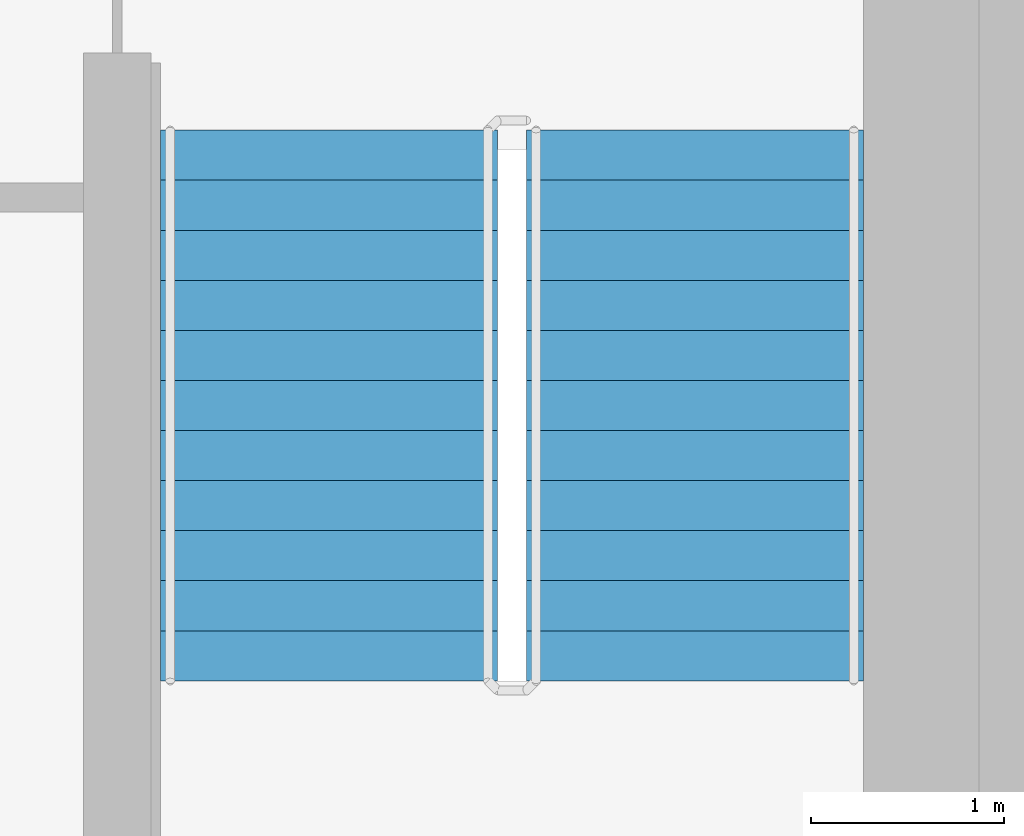
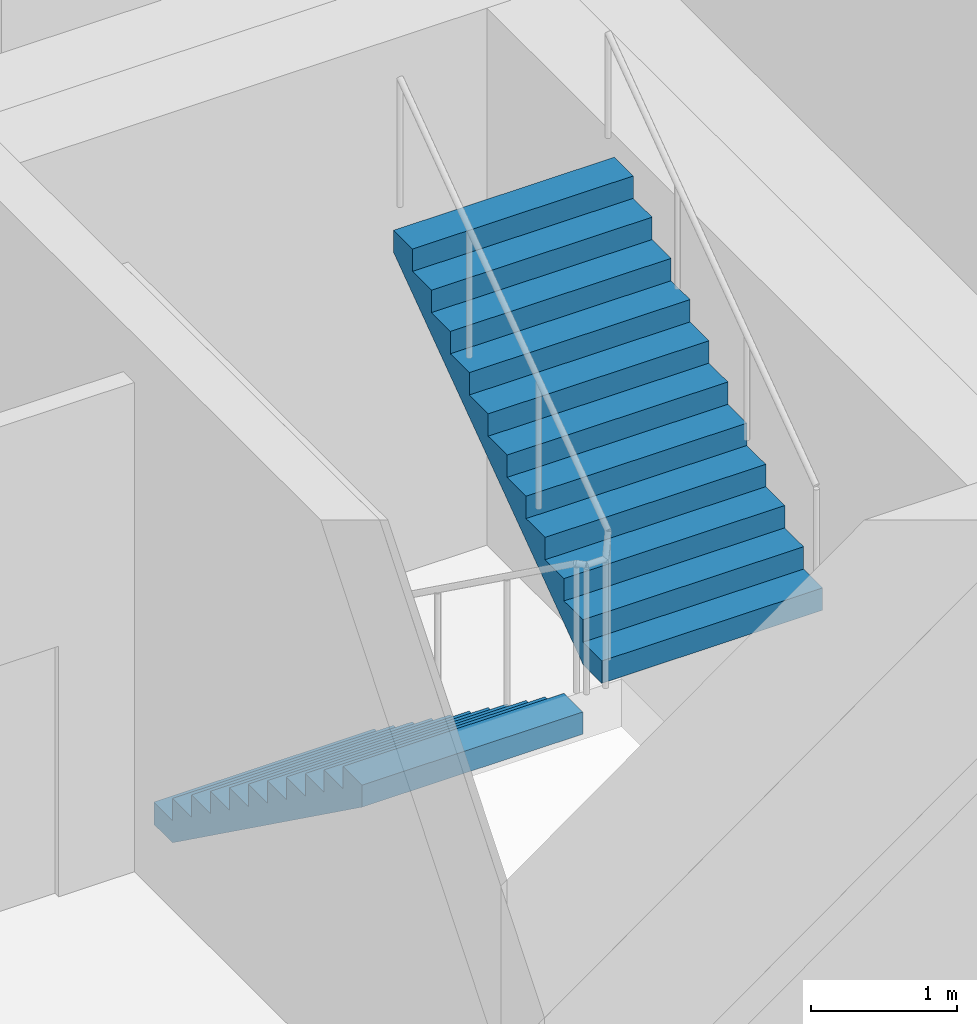
# One storey, part 13 of 17: 2 stair flights, 1 element without a shape of its own.
"""IFC4 building model written with IfcOpenShell, lengths in metres."""

import ifcopenshell
import ifcopenshell.guid

model = None  # the IFC model being written
_history = None  # IfcOwnerHistory: only IFC2X3 demands one
_inside = {}  # id of a spatial element -> (the spatial element, [elements in it])
_under = {}  # id of a project, library or spatial element -> (it, [spatial elements below it])
_declared = {}  # id of a project -> (the project, [libraries it declares])
_typed = {}  # id of a type object -> (the type object, [elements of that type])
_made_of = {}  # id of a material, layer set ... -> (it, [elements and type objects made of it])


def new_model(schema):
    """Start an empty IFC model of exactly this schema.

    Asked for "IFC4X3", IfcOpenShell would pick the latest addendum, in which some entities
    have other attributes; the version numbers below select the first issue.
    IFC2X3 requires an IfcOwnerHistory on every rooted entity: one is made here for all.
    """
    global model, _history
    if schema == "IFC4X3":
        model = ifcopenshell.file(schema_version=(4, 3, 0, 0))
    else:
        model = ifcopenshell.file(schema=schema)
    _inside.clear()
    _under.clear()
    _declared.clear()
    _typed.clear()
    _made_of.clear()
    _history = None
    if model.schema == "IFC2X3":
        org = make("IfcOrganization", Name="unknown")
        user = make(
            "IfcPersonAndOrganization",
            ThePerson=make("IfcPerson", FamilyName="unknown"),
            TheOrganization=org,
        )
        app = make(
            "IfcApplication",
            ApplicationDeveloper=org,
            Version="unknown",
            ApplicationFullName="unknown",
            ApplicationIdentifier="unknown",
        )
        _history = make(
            "IfcOwnerHistory",
            OwningUser=user,
            OwningApplication=app,
            ChangeAction="ADDED",
            CreationDate=0,
        )
    return model


def make(cls, **values):
    """One entity of the class cls with the attributes given. An attribute that is None is left unset."""
    return model.create_entity(
        cls, **{name: value for name, value in values.items() if value is not None}
    )


def rooted(cls, **values):
    """An entity with a GlobalId (a new one), such as an element, a storey or a relation."""
    return make(cls, GlobalId=ifcopenshell.guid.new(), OwnerHistory=_history, **values)


def si_unit(unit_type, name, prefix=None):
    """IfcSIUnit, for example si_unit("LENGTHUNIT", "METRE", prefix="MILLI")."""
    return make("IfcSIUnit", UnitType=unit_type, Prefix=prefix, Name=name)


def assignment(units):
    """IfcUnitAssignment: the units of a project."""
    return None if units is None else make("IfcUnitAssignment", Units=units)


def point(xyz):
    """IfcCartesianPoint."""
    return None if xyz is None else make("IfcCartesianPoint", Coordinates=xyz)


def direction(xyz):
    """IfcDirection."""
    return None if xyz is None else make("IfcDirection", DirectionRatios=xyz)


def frame(location, z_axis=None, x_axis=None):
    """IfcAxis2Placement3D, a coordinate frame: its origin and axes. An axis left out is left unset."""
    return make(
        "IfcAxis2Placement3D",
        Location=point(location),
        Axis=direction(z_axis),
        RefDirection=direction(x_axis),
    )


def origin():
    """The frame at (0, 0, 0) with its axes left unset."""
    return frame((0.0, 0.0, 0.0))


def place(relative_to, where):
    """IfcLocalPlacement: puts the frame where relative to a parent placement (None: the world)."""
    return make(
        "IfcLocalPlacement", PlacementRelTo=relative_to, RelativePlacement=where
    )


def context(
    kind, dimensions, precision=None, world=None, true_north=None, identifier=None
):
    """IfcGeometricRepresentationContext, for example the 3D "Model" context."""
    return make(
        "IfcGeometricRepresentationContext",
        ContextIdentifier=identifier,
        ContextType=kind,
        CoordinateSpaceDimension=dimensions,
        Precision=precision,
        WorldCoordinateSystem=world,
        TrueNorth=true_north,
    )


def subcontext(parent, identifier, kind, view, scale=None):
    """IfcGeometricRepresentationSubContext, for example "Body" below "Model"."""
    return make(
        "IfcGeometricRepresentationSubContext",
        ContextIdentifier=identifier,
        ContextType=kind,
        ParentContext=parent,
        TargetScale=scale,
        TargetView=view,
    )


def project(units=None, contexts=None):
    """IfcProject with its units and contexts."""
    return rooted(
        "IfcProject",
        Name="project",
        RepresentationContexts=contexts,
        UnitsInContext=assignment(units),
    )


def spatial(cls, under=None, at=None, **own):
    """A site, building, storey or space (cls), placed at a placement, below another one or the project."""
    s = rooted(cls, ObjectPlacement=at, **own)
    if under is not None:
        _under.setdefault(under.id(), (under, []))[1].append(s)
    return s


def faces_of(points, faces, orient=None, outer=None):
    """IfcFace entities. A face is a list of loops; a loop is a list of indices into points, from 0.

    orient and outer hold one flag for each loop. By default every Orientation is true, the
    first loop of a face is its IfcFaceOuterBound and the others are IfcFaceBound.
    """
    made = []
    for i, loops in enumerate(faces):
        bounds = []
        for j, loop in enumerate(loops):
            is_outer = j == 0 if outer is None else outer[i][j]
            bounds.append(
                make(
                    "IfcFaceOuterBound" if is_outer else "IfcFaceBound",
                    Bound=make("IfcPolyLoop", Polygon=[points[k] for k in loop]),
                    Orientation=True if orient is None else orient[i][j],
                )
            )
        made.append(make("IfcFace", Bounds=bounds))
    return made


def faceted_brep(points, faces, orient=None, outer=None, voids=None):
    """IfcFacetedBrep: a solid bounded by flat faces; with voids (closed shells), ...WithVoids."""
    shared = [point(p) for p in points]
    hull = make("IfcClosedShell", CfsFaces=faces_of(shared, faces, orient, outer))
    if voids is None:
        return make("IfcFacetedBrep", Outer=hull)
    return make(
        "IfcFacetedBrepWithVoids",
        Outer=hull,
        Voids=[
            make(cls, CfsFaces=faces_of(shared, fs, o, b)) for cls, fs, o, b in voids
        ],
    )


def shape(context_of_items, identifier, shape_type, items):
    """IfcShapeRepresentation: the items that make up one representation, for example the "Body"."""
    return make(
        "IfcShapeRepresentation",
        ContextOfItems=context_of_items,
        RepresentationIdentifier=identifier,
        RepresentationType=shape_type,
        Items=items,
    )


def material(Name=None, Category=None):
    """IfcMaterial."""
    return make("IfcMaterial", Name=Name, Category=Category)


def made_of(thing, what):
    """Note that an element or type object is made of a material, layer set ...; save() writes the relation."""
    if what is not None:
        _made_of.setdefault(what.id(), (what, []))[1].append(thing)
    return thing


def type_object(cls, material=None, **own):
    """A type object (cls), such as IfcWallType, which elements share."""
    return made_of(rooted(cls, **own), material)


def element(
    cls,
    number,
    at=None,
    inside=None,
    cuts=None,
    type_object=None,
    material=None,
    context=None,
    identifier="Body",
    shape_type=None,
    held_by="IfcProductDefinitionShape",
    body=None,
    shapes=None,
    **own,
):
    """One element of the class cls, such as IfcWall. Its Tag is "e" and its number.

    at: its placement. inside: the storey or other place that contains it. cuts: it is an
    opening in that element (IfcRelVoidsElement). A single representation is given by context,
    identifier, shape_type and body (its items); several are given by shapes. held_by: the class
    of the entity that holds the representations. save() writes the other relations.
    """
    e = rooted(cls, Tag="e%d" % number, ObjectPlacement=at, **own)
    if body is not None:
        shapes = [shape(context, identifier, shape_type, body)]
    if shapes is not None:
        e.Representation = make(held_by, Representations=shapes)
    if inside is not None:
        _inside.setdefault(inside.id(), (inside, []))[1].append(e)
    if cuts is not None:
        rooted(
            "IfcRelVoidsElement", RelatingBuildingElement=cuts, RelatedOpeningElement=e
        )
    if type_object is not None:
        _typed.setdefault(type_object.id(), (type_object, []))[1].append(e)
    return made_of(e, material)


def aggregate(whole, parts):
    """IfcRelAggregates: a whole, such as a stair, and the parts it consists of."""
    return rooted("IfcRelAggregates", RelatingObject=whole, RelatedObjects=parts)


def save(model, path):
    """Write the relations noted so far, then the file.

    IfcRelAggregates (storeys below a building ...), IfcRelContainedInSpatialStructure (elements
    in a storey), IfcRelDefinesByType, IfcRelAssociatesMaterial and IfcRelDeclares: one each for
    every whole, place, type object, material and project.
    """
    for whole, parts in _under.values():
        aggregate(whole, parts)
    for where, things in _inside.values():
        rooted(
            "IfcRelContainedInSpatialStructure",
            RelatedElements=things,
            RelatingStructure=where,
        )
    for kind, things in _typed.values():
        rooted("IfcRelDefinesByType", RelatedObjects=things, RelatingType=kind)
    for what, things in _made_of.values():
        rooted("IfcRelAssociatesMaterial", RelatedObjects=things, RelatingMaterial=what)
    for by, libraries in _declared.values():
        rooted("IfcRelDeclares", RelatingContext=by, RelatedDefinitions=libraries)
    model.write(path)


model = new_model("IFC4")

# Units and contexts
model_context = context("Model", 3, precision=1e-05, world=origin(), true_north=direction((0.0, 1.0)))
body_context = subcontext(model_context, "Body", "Model", "MODEL_VIEW")
ifc_project = project(units=[si_unit("LENGTHUNIT", "METRE"), si_unit("AREAUNIT", "SQUARE_METRE"), si_unit("VOLUMEUNIT", "CUBIC_METRE"), si_unit("PLANEANGLEUNIT", "RADIAN"), si_unit("MASSUNIT", "GRAM", prefix="KILO")], contexts=[model_context])

# Site, building, storey
site_placement = place(None, origin())
site = spatial("IfcSite", under=ifc_project, at=site_placement, CompositionType="ELEMENT")
building_placement = place(site_placement, origin())
building = spatial("IfcBuilding", under=site, at=building_placement, Name="Ipe Terrace Towers", CompositionType="ELEMENT")
storey_placement = place(building_placement, frame((0.0, 0.0, 246.89990234375)))
storey = spatial("IfcBuildingStorey", under=building, at=storey_placement, Name="L68", CompositionType="ELEMENT", Elevation=246.89990234375)

# Stair, stair flights
ifc_material_1 = material(Name="Concrete C30/37", Category="concrete")
stair_type = type_object("IfcStairType", Name="Protected exit stair", PredefinedType="HALF_TURN_STAIR", material=ifc_material_1)
stair_placement = place(storey_placement, origin())
stair = element("IfcStair", 1, at=stair_placement, inside=storey, type_object=stair_type, Name="L68 Exit stair T2-C2", PredefinedType="HALF_TURN_STAIR")
ifc_material_2 = material(Name="Concrete C30/37", Category="concrete")
stair_flight_type = type_object("IfcStairFlightType", Name="Exit stair flight 1750", PredefinedType="STRAIGHT", material=ifc_material_2)
stair_flight_1_placement = place(storey_placement, frame((38.77490234375, -9.699951171875, 0.0), z_axis=(0.0, 0.0, 1.0), x_axis=(0.0, -1.0, 0.0)))
stair_flight_1 = element("IfcStairFlight", 2, at=stair_flight_1_placement, type_object=stair_flight_type, Name="T2-ST2 flight 1", NumberOfRisers=12, NumberOfTreads=11, PredefinedType="STRAIGHT", RiserHeight=0.1875, TreadLength=0.26, context=body_context, shape_type="Brep", body=[
    faceted_brep([(0.25634765625, -0.875, 0.0), (2.860107421875, -0.875, 1.877685546875), (2.860107421875, -0.875, 2.0625), (2.60009765625, -0.875, 2.0625), (2.60009765625, -0.875, 1.875), (2.340087890625, -0.875, 1.875), (2.340087890625, -0.875, 1.6875), (2.080078125, -0.875, 1.6875), (2.080078125, -0.875, 1.5), (1.820068359375, -0.875, 1.5), (1.820068359375, -0.875, 1.3125), (1.56005859375, -0.875, 1.3125), (1.56005859375, -0.875, 1.125), (1.300048828125, -0.875, 1.125), (1.300048828125, -0.875, 0.9375), (1.0400390625, -0.875, 0.9375), (1.0400390625, -0.875, 0.75), (0.780029296875, -0.875, 0.75), (0.780029296875, -0.875, 0.5625), (0.52001953125, -0.875, 0.5625), (0.52001953125, -0.875, 0.375), (0.260009765625, -0.875, 0.375), (0.260009765625, -0.875, 0.1875), (0.0, -0.875, 0.1875), (0.0, -0.875, 0.0), (0.0, 0.875, 0.0), (0.0, 0.875, 0.1875), (0.260009765625, 0.875, 0.1875), (0.260009765625, 0.875, 0.375), (0.52001953125, 0.875, 0.375), (0.52001953125, 0.875, 0.5625), (0.780029296875, 0.875, 0.5625), (0.780029296875, 0.875, 0.75), (1.0400390625, 0.875, 0.75), (1.0400390625, 0.875, 0.9375), (1.300048828125, 0.875, 0.9375), (1.300048828125, 0.875, 1.125), (1.56005859375, 0.875, 1.125), (1.56005859375, 0.875, 1.3125), (1.820068359375, 0.875, 1.3125), (1.820068359375, 0.875, 1.5), (2.080078125, 0.875, 1.5), (2.080078125, 0.875, 1.6875), (2.340087890625, 0.875, 1.6875), (2.340087890625, 0.875, 1.875), (2.60009765625, 0.875, 1.875), (2.60009765625, 0.875, 2.0625), (2.860107421875, 0.875, 2.0625), (2.860107421875, 0.875, 1.877685546875), (0.25634765625, 0.875, 0.0), (0.0, -0.300048828125, 0.1875), (0.0, -0.1201171875, 0.1875), (0.0, -0.06005859375, 0.1875), (0.0, -0.030029296875, 0.1875), (0.0, -0.010009765625, 0.1875), (0.0, 0.0, 0.1875), (0.0, 0.010009765625, 0.1875), (0.0, 0.030029296875, 0.1875), (0.0, 0.06005859375, 0.1875), (0.0, 0.1201171875, 0.1875), (0.0, 0.300048828125, 0.1875), (0.0, 0.300048828125, 0.0), (0.0, 0.1201171875, 0.0), (0.0, 0.06005859375, 0.0), (0.0, 0.030029296875, 0.0), (0.0, 0.010009765625, 0.0), (0.0, 0.0, 0.0), (0.0, -0.010009765625, 0.0), (0.0, -0.030029296875, 0.0), (0.0, -0.06005859375, 0.0), (0.0, -0.1201171875, 0.0), (0.0, -0.300048828125, 0.0), (0.260009765625, -0.300048828125, 0.1875), (0.260009765625, -0.1201171875, 0.1875), (0.260009765625, -0.06005859375, 0.1875), (0.260009765625, -0.030029296875, 0.1875), (0.260009765625, -0.010009765625, 0.1875), (0.260009765625, 0.0, 0.1875), (0.260009765625, 0.010009765625, 0.1875), (0.260009765625, 0.030029296875, 0.1875), (0.260009765625, 0.06005859375, 0.1875), (0.260009765625, 0.1201171875, 0.1875), (0.260009765625, 0.300048828125, 0.1875), (0.260009765625, -0.300048828125, 0.375), (0.260009765625, -0.1201171875, 0.375), (0.260009765625, -0.06005859375, 0.375), (0.260009765625, -0.030029296875, 0.375), (0.260009765625, -0.010009765625, 0.375), (0.260009765625, 0.0, 0.375), (0.260009765625, 0.010009765625, 0.375), (0.260009765625, 0.030029296875, 0.375), (0.260009765625, 0.06005859375, 0.375), (0.260009765625, 0.1201171875, 0.375), (0.260009765625, 0.300048828125, 0.375), (0.52001953125, -0.300048828125, 0.375), (0.52001953125, -0.1201171875, 0.375), (0.52001953125, -0.06005859375, 0.375), (0.52001953125, -0.030029296875, 0.375), (0.52001953125, -0.010009765625, 0.375), (0.52001953125, 0.0, 0.375), (0.52001953125, 0.010009765625, 0.375), (0.52001953125, 0.030029296875, 0.375), (0.52001953125, 0.06005859375, 0.375), (0.52001953125, 0.1201171875, 0.375), (0.52001953125, 0.300048828125, 0.375), (0.52001953125, -0.300048828125, 0.5625), (0.52001953125, -0.1201171875, 0.5625), (0.52001953125, -0.06005859375, 0.5625), (0.52001953125, -0.030029296875, 0.5625), (0.52001953125, -0.010009765625, 0.5625), (0.52001953125, 0.0, 0.5625), (0.52001953125, 0.010009765625, 0.5625), (0.52001953125, 0.030029296875, 0.5625), (0.52001953125, 0.06005859375, 0.5625), (0.52001953125, 0.1201171875, 0.5625), (0.52001953125, 0.300048828125, 0.5625), (0.780029296875, -0.300048828125, 0.5625), (0.780029296875, -0.1201171875, 0.5625), (0.780029296875, -0.06005859375, 0.5625), (0.780029296875, -0.030029296875, 0.5625), (0.780029296875, -0.010009765625, 0.5625), (0.780029296875, 0.0, 0.5625), (0.780029296875, 0.010009765625, 0.5625), (0.780029296875, 0.030029296875, 0.5625), (0.780029296875, 0.06005859375, 0.5625), (0.780029296875, 0.1201171875, 0.5625), (0.780029296875, 0.300048828125, 0.5625), (0.780029296875, -0.300048828125, 0.75), (0.780029296875, -0.1201171875, 0.75), (0.780029296875, -0.06005859375, 0.75), (0.780029296875, -0.030029296875, 0.75), (0.780029296875, -0.010009765625, 0.75), (0.780029296875, 0.0, 0.75), (0.780029296875, 0.010009765625, 0.75), (0.780029296875, 0.030029296875, 0.75), (0.780029296875, 0.06005859375, 0.75), (0.780029296875, 0.1201171875, 0.75), (0.780029296875, 0.300048828125, 0.75), (1.0400390625, -0.300048828125, 0.75), (1.0400390625, -0.1201171875, 0.75), (1.0400390625, -0.06005859375, 0.75), (1.0400390625, -0.030029296875, 0.75), (1.0400390625, -0.010009765625, 0.75), (1.0400390625, 0.0, 0.75), (1.0400390625, 0.010009765625, 0.75), (1.0400390625, 0.030029296875, 0.75), (1.0400390625, 0.06005859375, 0.75), (1.0400390625, 0.1201171875, 0.75), (1.0400390625, 0.300048828125, 0.75), (1.0400390625, -0.300048828125, 0.9375), (1.0400390625, -0.1201171875, 0.9375), (1.0400390625, -0.06005859375, 0.9375), (1.0400390625, -0.030029296875, 0.9375), (1.0400390625, -0.010009765625, 0.9375), (1.0400390625, 0.0, 0.9375), (1.0400390625, 0.010009765625, 0.9375), (1.0400390625, 0.030029296875, 0.9375), (1.0400390625, 0.06005859375, 0.9375), (1.0400390625, 0.1201171875, 0.9375), (1.0400390625, 0.300048828125, 0.9375), (1.300048828125, -0.300048828125, 0.9375), (1.300048828125, -0.1201171875, 0.9375), (1.300048828125, -0.06005859375, 0.9375), (1.300048828125, -0.030029296875, 0.9375), (1.300048828125, -0.010009765625, 0.9375), (1.300048828125, 0.0, 0.9375), (1.300048828125, 0.010009765625, 0.9375), (1.300048828125, 0.030029296875, 0.9375), (1.300048828125, 0.06005859375, 0.9375), (1.300048828125, 0.1201171875, 0.9375), (1.300048828125, 0.300048828125, 0.9375), (1.300048828125, -0.300048828125, 1.125), (1.300048828125, -0.1201171875, 1.125), (1.300048828125, -0.06005859375, 1.125), (1.300048828125, -0.030029296875, 1.125), (1.300048828125, -0.010009765625, 1.125), (1.300048828125, 0.0, 1.125), (1.300048828125, 0.010009765625, 1.125), (1.300048828125, 0.030029296875, 1.125), (1.300048828125, 0.06005859375, 1.125), (1.300048828125, 0.1201171875, 1.125), (1.300048828125, 0.300048828125, 1.125), (1.56005859375, -0.300048828125, 1.125), (1.56005859375, -0.1201171875, 1.125), (1.56005859375, -0.06005859375, 1.125), (1.56005859375, -0.030029296875, 1.125), (1.56005859375, -0.010009765625, 1.125), (1.56005859375, 0.0, 1.125), (1.56005859375, 0.010009765625, 1.125), (1.56005859375, 0.030029296875, 1.125), (1.56005859375, 0.06005859375, 1.125), (1.56005859375, 0.1201171875, 1.125), (1.56005859375, 0.300048828125, 1.125), (1.56005859375, -0.300048828125, 1.3125), (1.56005859375, -0.1201171875, 1.3125), (1.56005859375, -0.06005859375, 1.3125), (1.56005859375, -0.030029296875, 1.3125), (1.56005859375, -0.010009765625, 1.3125), (1.56005859375, 0.0, 1.3125), (1.56005859375, 0.010009765625, 1.3125), (1.56005859375, 0.030029296875, 1.3125), (1.56005859375, 0.06005859375, 1.3125), (1.56005859375, 0.1201171875, 1.3125), (1.56005859375, 0.300048828125, 1.3125), (1.820068359375, -0.300048828125, 1.3125), (1.820068359375, -0.1201171875, 1.3125), (1.820068359375, -0.06005859375, 1.3125), (1.820068359375, -0.030029296875, 1.3125), (1.820068359375, -0.010009765625, 1.3125), (1.820068359375, 0.0, 1.3125), (1.820068359375, 0.010009765625, 1.3125), (1.820068359375, 0.030029296875, 1.3125), (1.820068359375, 0.06005859375, 1.3125), (1.820068359375, 0.1201171875, 1.3125), (1.820068359375, 0.300048828125, 1.3125), (1.820068359375, -0.300048828125, 1.5), (1.820068359375, -0.1201171875, 1.5), (1.820068359375, -0.06005859375, 1.5), (1.820068359375, -0.030029296875, 1.5), (1.820068359375, -0.010009765625, 1.5), (1.820068359375, 0.0, 1.5), (1.820068359375, 0.010009765625, 1.5), (1.820068359375, 0.030029296875, 1.5), (1.820068359375, 0.06005859375, 1.5), (1.820068359375, 0.1201171875, 1.5), (1.820068359375, 0.300048828125, 1.5), (2.080078125, -0.300048828125, 1.5), (2.080078125, -0.1201171875, 1.5), (2.080078125, -0.06005859375, 1.5), (2.080078125, -0.030029296875, 1.5), (2.080078125, -0.010009765625, 1.5), (2.080078125, 0.0, 1.5), (2.080078125, 0.010009765625, 1.5), (2.080078125, 0.030029296875, 1.5), (2.080078125, 0.06005859375, 1.5), (2.080078125, 0.1201171875, 1.5), (2.080078125, 0.300048828125, 1.5), (2.080078125, -0.300048828125, 1.6875), (2.080078125, -0.1201171875, 1.6875), (2.080078125, -0.06005859375, 1.6875), (2.080078125, -0.030029296875, 1.6875), (2.080078125, -0.010009765625, 1.6875), (2.080078125, 0.0, 1.6875), (2.080078125, 0.010009765625, 1.6875), (2.080078125, 0.030029296875, 1.6875), (2.080078125, 0.06005859375, 1.6875), (2.080078125, 0.1201171875, 1.6875), (2.080078125, 0.300048828125, 1.6875), (2.340087890625, -0.300048828125, 1.6875), (2.340087890625, -0.1201171875, 1.6875), (2.340087890625, -0.06005859375, 1.6875), (2.340087890625, -0.030029296875, 1.6875), (2.340087890625, -0.010009765625, 1.6875), (2.340087890625, 0.0, 1.6875), (2.340087890625, 0.010009765625, 1.6875), (2.340087890625, 0.030029296875, 1.6875), (2.340087890625, 0.06005859375, 1.6875), (2.340087890625, 0.1201171875, 1.6875), (2.340087890625, 0.300048828125, 1.6875), (2.340087890625, -0.300048828125, 1.875), (2.340087890625, -0.1201171875, 1.875), (2.340087890625, -0.06005859375, 1.875), (2.340087890625, -0.030029296875, 1.875), (2.340087890625, -0.010009765625, 1.875), (2.340087890625, 0.0, 1.875), (2.340087890625, 0.010009765625, 1.875), (2.340087890625, 0.030029296875, 1.875), (2.340087890625, 0.06005859375, 1.875), (2.340087890625, 0.1201171875, 1.875), (2.340087890625, 0.300048828125, 1.875), (2.60009765625, -0.300048828125, 1.875), (2.60009765625, -0.1201171875, 1.875), (2.60009765625, -0.06005859375, 1.875), (2.60009765625, -0.030029296875, 1.875), (2.60009765625, -0.010009765625, 1.875), (2.60009765625, 0.0, 1.875), (2.60009765625, 0.010009765625, 1.875), (2.60009765625, 0.030029296875, 1.875), (2.60009765625, 0.06005859375, 1.875), (2.60009765625, 0.1201171875, 1.875), (2.60009765625, 0.300048828125, 1.875), (2.60009765625, -0.300048828125, 2.0625), (2.60009765625, -0.1201171875, 2.0625), (2.60009765625, -0.06005859375, 2.0625), (2.60009765625, -0.030029296875, 2.0625), (2.60009765625, -0.010009765625, 2.0625), (2.60009765625, 0.0, 2.0625), (2.60009765625, 0.010009765625, 2.0625), (2.60009765625, 0.030029296875, 2.0625), (2.60009765625, 0.06005859375, 2.0625), (2.60009765625, 0.1201171875, 2.0625), (2.60009765625, 0.300048828125, 2.0625), (2.860107421875, -0.300048828125, 2.0625), (2.860107421875, -0.1201171875, 2.0625), (2.860107421875, -0.06005859375, 2.0625), (2.860107421875, -0.030029296875, 2.0625), (2.860107421875, -0.010009765625, 2.0625), (2.860107421875, 0.0, 2.0625), (2.860107421875, 0.010009765625, 2.0625), (2.860107421875, 0.030029296875, 2.0625), (2.860107421875, 0.06005859375, 2.0625), (2.860107421875, 0.1201171875, 2.0625), (2.860107421875, 0.300048828125, 2.0625), (2.860107421875, -0.300048828125, 1.877685546875), (2.860107421875, -0.1201171875, 1.877685546875), (2.860107421875, -0.06005859375, 1.877685546875), (2.860107421875, -0.030029296875, 1.877685546875), (2.860107421875, -0.010009765625, 1.877685546875), (2.860107421875, 0.0, 1.877685546875), (2.860107421875, 0.010009765625, 1.877685546875), (2.860107421875, 0.030029296875, 1.877685546875), (2.860107421875, 0.06005859375, 1.877685546875), (2.860107421875, 0.1201171875, 1.877685546875), (2.860107421875, 0.300048828125, 1.877685546875), (0.25634765625, -0.300048828125, 0.0), (0.25634765625, -0.1201171875, 0.0), (0.25634765625, -0.06005859375, 0.0), (0.25634765625, -0.030029296875, 0.0), (0.25634765625, -0.010009765625, 0.0), (0.25634765625, 0.0, 0.0), (0.25634765625, 0.010009765625, 0.0), (0.25634765625, 0.030029296875, 0.0), (0.25634765625, 0.06005859375, 0.0), (0.25634765625, 0.1201171875, 0.0), (0.25634765625, 0.300048828125, 0.0)], [[[0, 1, 2, 3, 4, 5, 6, 7, 8, 9, 10, 11, 12, 13, 14, 15, 16, 17, 18, 19, 20, 21, 22, 23, 24]], [[25, 26, 27, 28, 29, 30, 31, 32, 33, 34, 35, 36, 37, 38, 39, 40, 41, 42, 43, 44, 45, 46, 47, 48, 49]], [[23, 50, 51, 52, 53, 54, 55, 56, 57, 58, 59, 60, 26, 25, 61, 62, 63, 64, 65, 66, 67, 68, 69, 70, 71, 24]], [[22, 72, 73, 74, 75, 76, 77, 78, 79, 80, 81, 82, 27, 26, 60, 59, 58, 57, 56, 55, 54, 53, 52, 51, 50, 23]], [[21, 83, 84, 85, 86, 87, 88, 89, 90, 91, 92, 93, 28, 27, 82, 81, 80, 79, 78, 77, 76, 75, 74, 73, 72, 22]], [[20, 94, 95, 96, 97, 98, 99, 100, 101, 102, 103, 104, 29, 28, 93, 92, 91, 90, 89, 88, 87, 86, 85, 84, 83, 21]], [[19, 105, 106, 107, 108, 109, 110, 111, 112, 113, 114, 115, 30, 29, 104, 103, 102, 101, 100, 99, 98, 97, 96, 95, 94, 20]], [[18, 116, 117, 118, 119, 120, 121, 122, 123, 124, 125, 126, 31, 30, 115, 114, 113, 112, 111, 110, 109, 108, 107, 106, 105, 19]], [[17, 127, 128, 129, 130, 131, 132, 133, 134, 135, 136, 137, 32, 31, 126, 125, 124, 123, 122, 121, 120, 119, 118, 117, 116, 18]], [[16, 138, 139, 140, 141, 142, 143, 144, 145, 146, 147, 148, 33, 32, 137, 136, 135, 134, 133, 132, 131, 130, 129, 128, 127, 17]], [[15, 149, 150, 151, 152, 153, 154, 155, 156, 157, 158, 159, 34, 33, 148, 147, 146, 145, 144, 143, 142, 141, 140, 139, 138, 16]], [[14, 160, 161, 162, 163, 164, 165, 166, 167, 168, 169, 170, 35, 34, 159, 158, 157, 156, 155, 154, 153, 152, 151, 150, 149, 15]], [[13, 171, 172, 173, 174, 175, 176, 177, 178, 179, 180, 181, 36, 35, 170, 169, 168, 167, 166, 165, 164, 163, 162, 161, 160, 14]], [[12, 182, 183, 184, 185, 186, 187, 188, 189, 190, 191, 192, 37, 36, 181, 180, 179, 178, 177, 176, 175, 174, 173, 172, 171, 13]], [[11, 193, 194, 195, 196, 197, 198, 199, 200, 201, 202, 203, 38, 37, 192, 191, 190, 189, 188, 187, 186, 185, 184, 183, 182, 12]], [[10, 204, 205, 206, 207, 208, 209, 210, 211, 212, 213, 214, 39, 38, 203, 202, 201, 200, 199, 198, 197, 196, 195, 194, 193, 11]], [[9, 215, 216, 217, 218, 219, 220, 221, 222, 223, 224, 225, 40, 39, 214, 213, 212, 211, 210, 209, 208, 207, 206, 205, 204, 10]], [[8, 226, 227, 228, 229, 230, 231, 232, 233, 234, 235, 236, 41, 40, 225, 224, 223, 222, 221, 220, 219, 218, 217, 216, 215, 9]], [[7, 237, 238, 239, 240, 241, 242, 243, 244, 245, 246, 247, 42, 41, 236, 235, 234, 233, 232, 231, 230, 229, 228, 227, 226, 8]], [[6, 248, 249, 250, 251, 252, 253, 254, 255, 256, 257, 258, 43, 42, 247, 246, 245, 244, 243, 242, 241, 240, 239, 238, 237, 7]], [[5, 259, 260, 261, 262, 263, 264, 265, 266, 267, 268, 269, 44, 43, 258, 257, 256, 255, 254, 253, 252, 251, 250, 249, 248, 6]], [[4, 270, 271, 272, 273, 274, 275, 276, 277, 278, 279, 280, 45, 44, 269, 268, 267, 266, 265, 264, 263, 262, 261, 260, 259, 5]], [[3, 281, 282, 283, 284, 285, 286, 287, 288, 289, 290, 291, 46, 45, 280, 279, 278, 277, 276, 275, 274, 273, 272, 271, 270, 4]], [[2, 292, 293, 294, 295, 296, 297, 298, 299, 300, 301, 302, 47, 46, 291, 290, 289, 288, 287, 286, 285, 284, 283, 282, 281, 3]], [[1, 303, 304, 305, 306, 307, 308, 309, 310, 311, 312, 313, 48, 47, 302, 301, 300, 299, 298, 297, 296, 295, 294, 293, 292, 2]], [[0, 314, 315, 316, 317, 318, 319, 320, 321, 322, 323, 324, 49, 48, 313, 312, 311, 310, 309, 308, 307, 306, 305, 304, 303, 1]], [[24, 71, 70, 69, 68, 67, 66, 65, 64, 63, 62, 61, 25, 49, 324, 323, 322, 321, 320, 319, 318, 317, 316, 315, 314, 0]]]),
])
stair_flight_2_placement = place(storey_placement, frame((40.675048828125, -12.56005859375, 2.25), z_axis=(0.0, 0.0, 1.0), x_axis=(0.0, 1.0, 0.0)))
stair_flight_2 = element("IfcStairFlight", 3, at=stair_flight_2_placement, type_object=stair_flight_type, Name="T2-ST2 flight 2", NumberOfRisers=12, NumberOfTreads=11, PredefinedType="STRAIGHT", RiserHeight=0.1875, TreadLength=0.26, context=body_context, shape_type="Brep", body=[
    faceted_brep([(0.25634765625, -0.875, 0.0), (2.860107421875, -0.875, 1.877685546875), (2.860107421875, -0.875, 2.0625), (2.60009765625, -0.875, 2.0625), (2.60009765625, -0.875, 1.875), (2.340087890625, -0.875, 1.875), (2.340087890625, -0.875, 1.6875), (2.080078125, -0.875, 1.6875), (2.080078125, -0.875, 1.5), (1.820068359375, -0.875, 1.5), (1.820068359375, -0.875, 1.3125), (1.56005859375, -0.875, 1.3125), (1.56005859375, -0.875, 1.125), (1.300048828125, -0.875, 1.125), (1.300048828125, -0.875, 0.9375), (1.0400390625, -0.875, 0.9375), (1.0400390625, -0.875, 0.75), (0.780029296875, -0.875, 0.75), (0.780029296875, -0.875, 0.5625), (0.52001953125, -0.875, 0.5625), (0.52001953125, -0.875, 0.375), (0.260009765625, -0.875, 0.375), (0.260009765625, -0.875, 0.1875), (0.0, -0.875, 0.1875), (0.0, -0.875, 0.0), (0.0, 0.875, 0.0), (0.0, 0.875, 0.1875), (0.260009765625, 0.875, 0.1875), (0.260009765625, 0.875, 0.375), (0.52001953125, 0.875, 0.375), (0.52001953125, 0.875, 0.5625), (0.780029296875, 0.875, 0.5625), (0.780029296875, 0.875, 0.75), (1.0400390625, 0.875, 0.75), (1.0400390625, 0.875, 0.9375), (1.300048828125, 0.875, 0.9375), (1.300048828125, 0.875, 1.125), (1.56005859375, 0.875, 1.125), (1.56005859375, 0.875, 1.3125), (1.820068359375, 0.875, 1.3125), (1.820068359375, 0.875, 1.5), (2.080078125, 0.875, 1.5), (2.080078125, 0.875, 1.6875), (2.340087890625, 0.875, 1.6875), (2.340087890625, 0.875, 1.875), (2.60009765625, 0.875, 1.875), (2.60009765625, 0.875, 2.0625), (2.860107421875, 0.875, 2.0625), (2.860107421875, 0.875, 1.877685546875), (0.25634765625, 0.875, 0.0), (0.0, -0.300048828125, 0.1875), (0.0, -0.1201171875, 0.1875), (0.0, -0.06005859375, 0.1875), (0.0, -0.030029296875, 0.1875), (0.0, -0.010009765625, 0.1875), (0.0, 0.0, 0.1875), (0.0, 0.010009765625, 0.1875), (0.0, 0.030029296875, 0.1875), (0.0, 0.06005859375, 0.1875), (0.0, 0.1201171875, 0.1875), (0.0, 0.300048828125, 0.1875), (0.0, 0.300048828125, 0.0), (0.0, 0.1201171875, 0.0), (0.0, 0.06005859375, 0.0), (0.0, 0.030029296875, 0.0), (0.0, 0.010009765625, 0.0), (0.0, 0.0, 0.0), (0.0, -0.010009765625, 0.0), (0.0, -0.030029296875, 0.0), (0.0, -0.06005859375, 0.0), (0.0, -0.1201171875, 0.0), (0.0, -0.300048828125, 0.0), (0.260009765625, -0.300048828125, 0.1875), (0.260009765625, -0.1201171875, 0.1875), (0.260009765625, -0.06005859375, 0.1875), (0.260009765625, -0.030029296875, 0.1875), (0.260009765625, -0.010009765625, 0.1875), (0.260009765625, 0.0, 0.1875), (0.260009765625, 0.010009765625, 0.1875), (0.260009765625, 0.030029296875, 0.1875), (0.260009765625, 0.06005859375, 0.1875), (0.260009765625, 0.1201171875, 0.1875), (0.260009765625, 0.300048828125, 0.1875), (0.260009765625, -0.300048828125, 0.375), (0.260009765625, -0.1201171875, 0.375), (0.260009765625, -0.06005859375, 0.375), (0.260009765625, -0.030029296875, 0.375), (0.260009765625, -0.010009765625, 0.375), (0.260009765625, 0.0, 0.375), (0.260009765625, 0.010009765625, 0.375), (0.260009765625, 0.030029296875, 0.375), (0.260009765625, 0.06005859375, 0.375), (0.260009765625, 0.1201171875, 0.375), (0.260009765625, 0.300048828125, 0.375), (0.52001953125, -0.300048828125, 0.375), (0.52001953125, -0.1201171875, 0.375), (0.52001953125, -0.06005859375, 0.375), (0.52001953125, -0.030029296875, 0.375), (0.52001953125, -0.010009765625, 0.375), (0.52001953125, 0.0, 0.375), (0.52001953125, 0.010009765625, 0.375), (0.52001953125, 0.030029296875, 0.375), (0.52001953125, 0.06005859375, 0.375), (0.52001953125, 0.1201171875, 0.375), (0.52001953125, 0.300048828125, 0.375), (0.52001953125, -0.300048828125, 0.5625), (0.52001953125, -0.1201171875, 0.5625), (0.52001953125, -0.06005859375, 0.5625), (0.52001953125, -0.030029296875, 0.5625), (0.52001953125, -0.010009765625, 0.5625), (0.52001953125, 0.0, 0.5625), (0.52001953125, 0.010009765625, 0.5625), (0.52001953125, 0.030029296875, 0.5625), (0.52001953125, 0.06005859375, 0.5625), (0.52001953125, 0.1201171875, 0.5625), (0.52001953125, 0.300048828125, 0.5625), (0.780029296875, -0.300048828125, 0.5625), (0.780029296875, -0.1201171875, 0.5625), (0.780029296875, -0.06005859375, 0.5625), (0.780029296875, -0.030029296875, 0.5625), (0.780029296875, -0.010009765625, 0.5625), (0.780029296875, 0.0, 0.5625), (0.780029296875, 0.010009765625, 0.5625), (0.780029296875, 0.030029296875, 0.5625), (0.780029296875, 0.06005859375, 0.5625), (0.780029296875, 0.1201171875, 0.5625), (0.780029296875, 0.300048828125, 0.5625), (0.780029296875, -0.300048828125, 0.75), (0.780029296875, -0.1201171875, 0.75), (0.780029296875, -0.06005859375, 0.75), (0.780029296875, -0.030029296875, 0.75), (0.780029296875, -0.010009765625, 0.75), (0.780029296875, 0.0, 0.75), (0.780029296875, 0.010009765625, 0.75), (0.780029296875, 0.030029296875, 0.75), (0.780029296875, 0.06005859375, 0.75), (0.780029296875, 0.1201171875, 0.75), (0.780029296875, 0.300048828125, 0.75), (1.0400390625, -0.300048828125, 0.75), (1.0400390625, -0.1201171875, 0.75), (1.0400390625, -0.06005859375, 0.75), (1.0400390625, -0.030029296875, 0.75), (1.0400390625, -0.010009765625, 0.75), (1.0400390625, 0.0, 0.75), (1.0400390625, 0.010009765625, 0.75), (1.0400390625, 0.030029296875, 0.75), (1.0400390625, 0.06005859375, 0.75), (1.0400390625, 0.1201171875, 0.75), (1.0400390625, 0.300048828125, 0.75), (1.0400390625, -0.300048828125, 0.9375), (1.0400390625, -0.1201171875, 0.9375), (1.0400390625, -0.06005859375, 0.9375), (1.0400390625, -0.030029296875, 0.9375), (1.0400390625, -0.010009765625, 0.9375), (1.0400390625, 0.0, 0.9375), (1.0400390625, 0.010009765625, 0.9375), (1.0400390625, 0.030029296875, 0.9375), (1.0400390625, 0.06005859375, 0.9375), (1.0400390625, 0.1201171875, 0.9375), (1.0400390625, 0.300048828125, 0.9375), (1.300048828125, -0.300048828125, 0.9375), (1.300048828125, -0.1201171875, 0.9375), (1.300048828125, -0.06005859375, 0.9375), (1.300048828125, -0.030029296875, 0.9375), (1.300048828125, -0.010009765625, 0.9375), (1.300048828125, 0.0, 0.9375), (1.300048828125, 0.010009765625, 0.9375), (1.300048828125, 0.030029296875, 0.9375), (1.300048828125, 0.06005859375, 0.9375), (1.300048828125, 0.1201171875, 0.9375), (1.300048828125, 0.300048828125, 0.9375), (1.300048828125, -0.300048828125, 1.125), (1.300048828125, -0.1201171875, 1.125), (1.300048828125, -0.06005859375, 1.125), (1.300048828125, -0.030029296875, 1.125), (1.300048828125, -0.010009765625, 1.125), (1.300048828125, 0.0, 1.125), (1.300048828125, 0.010009765625, 1.125), (1.300048828125, 0.030029296875, 1.125), (1.300048828125, 0.06005859375, 1.125), (1.300048828125, 0.1201171875, 1.125), (1.300048828125, 0.300048828125, 1.125), (1.56005859375, -0.300048828125, 1.125), (1.56005859375, -0.1201171875, 1.125), (1.56005859375, -0.06005859375, 1.125), (1.56005859375, -0.030029296875, 1.125), (1.56005859375, -0.010009765625, 1.125), (1.56005859375, 0.0, 1.125), (1.56005859375, 0.010009765625, 1.125), (1.56005859375, 0.030029296875, 1.125), (1.56005859375, 0.06005859375, 1.125), (1.56005859375, 0.1201171875, 1.125), (1.56005859375, 0.300048828125, 1.125), (1.56005859375, -0.300048828125, 1.3125), (1.56005859375, -0.1201171875, 1.3125), (1.56005859375, -0.06005859375, 1.3125), (1.56005859375, -0.030029296875, 1.3125), (1.56005859375, -0.010009765625, 1.3125), (1.56005859375, 0.0, 1.3125), (1.56005859375, 0.010009765625, 1.3125), (1.56005859375, 0.030029296875, 1.3125), (1.56005859375, 0.06005859375, 1.3125), (1.56005859375, 0.1201171875, 1.3125), (1.56005859375, 0.300048828125, 1.3125), (1.820068359375, -0.300048828125, 1.3125), (1.820068359375, -0.1201171875, 1.3125), (1.820068359375, -0.06005859375, 1.3125), (1.820068359375, -0.030029296875, 1.3125), (1.820068359375, -0.010009765625, 1.3125), (1.820068359375, 0.0, 1.3125), (1.820068359375, 0.010009765625, 1.3125), (1.820068359375, 0.030029296875, 1.3125), (1.820068359375, 0.06005859375, 1.3125), (1.820068359375, 0.1201171875, 1.3125), (1.820068359375, 0.300048828125, 1.3125), (1.820068359375, -0.300048828125, 1.5), (1.820068359375, -0.1201171875, 1.5), (1.820068359375, -0.06005859375, 1.5), (1.820068359375, -0.030029296875, 1.5), (1.820068359375, -0.010009765625, 1.5), (1.820068359375, 0.0, 1.5), (1.820068359375, 0.010009765625, 1.5), (1.820068359375, 0.030029296875, 1.5), (1.820068359375, 0.06005859375, 1.5), (1.820068359375, 0.1201171875, 1.5), (1.820068359375, 0.300048828125, 1.5), (2.080078125, -0.300048828125, 1.5), (2.080078125, -0.1201171875, 1.5), (2.080078125, -0.06005859375, 1.5), (2.080078125, -0.030029296875, 1.5), (2.080078125, -0.010009765625, 1.5), (2.080078125, 0.0, 1.5), (2.080078125, 0.010009765625, 1.5), (2.080078125, 0.030029296875, 1.5), (2.080078125, 0.06005859375, 1.5), (2.080078125, 0.1201171875, 1.5), (2.080078125, 0.300048828125, 1.5), (2.080078125, -0.300048828125, 1.6875), (2.080078125, -0.1201171875, 1.6875), (2.080078125, -0.06005859375, 1.6875), (2.080078125, -0.030029296875, 1.6875), (2.080078125, -0.010009765625, 1.6875), (2.080078125, 0.0, 1.6875), (2.080078125, 0.010009765625, 1.6875), (2.080078125, 0.030029296875, 1.6875), (2.080078125, 0.06005859375, 1.6875), (2.080078125, 0.1201171875, 1.6875), (2.080078125, 0.300048828125, 1.6875), (2.340087890625, -0.300048828125, 1.6875), (2.340087890625, -0.1201171875, 1.6875), (2.340087890625, -0.06005859375, 1.6875), (2.340087890625, -0.030029296875, 1.6875), (2.340087890625, -0.010009765625, 1.6875), (2.340087890625, 0.0, 1.6875), (2.340087890625, 0.010009765625, 1.6875), (2.340087890625, 0.030029296875, 1.6875), (2.340087890625, 0.06005859375, 1.6875), (2.340087890625, 0.1201171875, 1.6875), (2.340087890625, 0.300048828125, 1.6875), (2.340087890625, -0.300048828125, 1.875), (2.340087890625, -0.1201171875, 1.875), (2.340087890625, -0.06005859375, 1.875), (2.340087890625, -0.030029296875, 1.875), (2.340087890625, -0.010009765625, 1.875), (2.340087890625, 0.0, 1.875), (2.340087890625, 0.010009765625, 1.875), (2.340087890625, 0.030029296875, 1.875), (2.340087890625, 0.06005859375, 1.875), (2.340087890625, 0.1201171875, 1.875), (2.340087890625, 0.300048828125, 1.875), (2.60009765625, -0.300048828125, 1.875), (2.60009765625, -0.1201171875, 1.875), (2.60009765625, -0.06005859375, 1.875), (2.60009765625, -0.030029296875, 1.875), (2.60009765625, -0.010009765625, 1.875), (2.60009765625, 0.0, 1.875), (2.60009765625, 0.010009765625, 1.875), (2.60009765625, 0.030029296875, 1.875), (2.60009765625, 0.06005859375, 1.875), (2.60009765625, 0.1201171875, 1.875), (2.60009765625, 0.300048828125, 1.875), (2.60009765625, -0.300048828125, 2.0625), (2.60009765625, -0.1201171875, 2.0625), (2.60009765625, -0.06005859375, 2.0625), (2.60009765625, -0.030029296875, 2.0625), (2.60009765625, -0.010009765625, 2.0625), (2.60009765625, 0.0, 2.0625), (2.60009765625, 0.010009765625, 2.0625), (2.60009765625, 0.030029296875, 2.0625), (2.60009765625, 0.06005859375, 2.0625), (2.60009765625, 0.1201171875, 2.0625), (2.60009765625, 0.300048828125, 2.0625), (2.860107421875, -0.300048828125, 2.0625), (2.860107421875, -0.1201171875, 2.0625), (2.860107421875, -0.06005859375, 2.0625), (2.860107421875, -0.030029296875, 2.0625), (2.860107421875, -0.010009765625, 2.0625), (2.860107421875, 0.0, 2.0625), (2.860107421875, 0.010009765625, 2.0625), (2.860107421875, 0.030029296875, 2.0625), (2.860107421875, 0.06005859375, 2.0625), (2.860107421875, 0.1201171875, 2.0625), (2.860107421875, 0.300048828125, 2.0625), (2.860107421875, -0.300048828125, 1.877685546875), (2.860107421875, -0.1201171875, 1.877685546875), (2.860107421875, -0.06005859375, 1.877685546875), (2.860107421875, -0.030029296875, 1.877685546875), (2.860107421875, -0.010009765625, 1.877685546875), (2.860107421875, 0.0, 1.877685546875), (2.860107421875, 0.010009765625, 1.877685546875), (2.860107421875, 0.030029296875, 1.877685546875), (2.860107421875, 0.06005859375, 1.877685546875), (2.860107421875, 0.1201171875, 1.877685546875), (2.860107421875, 0.300048828125, 1.877685546875), (0.25634765625, -0.300048828125, 0.0), (0.25634765625, -0.1201171875, 0.0), (0.25634765625, -0.06005859375, 0.0), (0.25634765625, -0.030029296875, 0.0), (0.25634765625, -0.010009765625, 0.0), (0.25634765625, 0.0, 0.0), (0.25634765625, 0.010009765625, 0.0), (0.25634765625, 0.030029296875, 0.0), (0.25634765625, 0.06005859375, 0.0), (0.25634765625, 0.1201171875, 0.0), (0.25634765625, 0.300048828125, 0.0)], [[[0, 1, 2, 3, 4, 5, 6, 7, 8, 9, 10, 11, 12, 13, 14, 15, 16, 17, 18, 19, 20, 21, 22, 23, 24]], [[25, 26, 27, 28, 29, 30, 31, 32, 33, 34, 35, 36, 37, 38, 39, 40, 41, 42, 43, 44, 45, 46, 47, 48, 49]], [[23, 50, 51, 52, 53, 54, 55, 56, 57, 58, 59, 60, 26, 25, 61, 62, 63, 64, 65, 66, 67, 68, 69, 70, 71, 24]], [[22, 72, 73, 74, 75, 76, 77, 78, 79, 80, 81, 82, 27, 26, 60, 59, 58, 57, 56, 55, 54, 53, 52, 51, 50, 23]], [[21, 83, 84, 85, 86, 87, 88, 89, 90, 91, 92, 93, 28, 27, 82, 81, 80, 79, 78, 77, 76, 75, 74, 73, 72, 22]], [[20, 94, 95, 96, 97, 98, 99, 100, 101, 102, 103, 104, 29, 28, 93, 92, 91, 90, 89, 88, 87, 86, 85, 84, 83, 21]], [[19, 105, 106, 107, 108, 109, 110, 111, 112, 113, 114, 115, 30, 29, 104, 103, 102, 101, 100, 99, 98, 97, 96, 95, 94, 20]], [[18, 116, 117, 118, 119, 120, 121, 122, 123, 124, 125, 126, 31, 30, 115, 114, 113, 112, 111, 110, 109, 108, 107, 106, 105, 19]], [[17, 127, 128, 129, 130, 131, 132, 133, 134, 135, 136, 137, 32, 31, 126, 125, 124, 123, 122, 121, 120, 119, 118, 117, 116, 18]], [[16, 138, 139, 140, 141, 142, 143, 144, 145, 146, 147, 148, 33, 32, 137, 136, 135, 134, 133, 132, 131, 130, 129, 128, 127, 17]], [[15, 149, 150, 151, 152, 153, 154, 155, 156, 157, 158, 159, 34, 33, 148, 147, 146, 145, 144, 143, 142, 141, 140, 139, 138, 16]], [[14, 160, 161, 162, 163, 164, 165, 166, 167, 168, 169, 170, 35, 34, 159, 158, 157, 156, 155, 154, 153, 152, 151, 150, 149, 15]], [[13, 171, 172, 173, 174, 175, 176, 177, 178, 179, 180, 181, 36, 35, 170, 169, 168, 167, 166, 165, 164, 163, 162, 161, 160, 14]], [[12, 182, 183, 184, 185, 186, 187, 188, 189, 190, 191, 192, 37, 36, 181, 180, 179, 178, 177, 176, 175, 174, 173, 172, 171, 13]], [[11, 193, 194, 195, 196, 197, 198, 199, 200, 201, 202, 203, 38, 37, 192, 191, 190, 189, 188, 187, 186, 185, 184, 183, 182, 12]], [[10, 204, 205, 206, 207, 208, 209, 210, 211, 212, 213, 214, 39, 38, 203, 202, 201, 200, 199, 198, 197, 196, 195, 194, 193, 11]], [[9, 215, 216, 217, 218, 219, 220, 221, 222, 223, 224, 225, 40, 39, 214, 213, 212, 211, 210, 209, 208, 207, 206, 205, 204, 10]], [[8, 226, 227, 228, 229, 230, 231, 232, 233, 234, 235, 236, 41, 40, 225, 224, 223, 222, 221, 220, 219, 218, 217, 216, 215, 9]], [[7, 237, 238, 239, 240, 241, 242, 243, 244, 245, 246, 247, 42, 41, 236, 235, 234, 233, 232, 231, 230, 229, 228, 227, 226, 8]], [[6, 248, 249, 250, 251, 252, 253, 254, 255, 256, 257, 258, 43, 42, 247, 246, 245, 244, 243, 242, 241, 240, 239, 238, 237, 7]], [[5, 259, 260, 261, 262, 263, 264, 265, 266, 267, 268, 269, 44, 43, 258, 257, 256, 255, 254, 253, 252, 251, 250, 249, 248, 6]], [[4, 270, 271, 272, 273, 274, 275, 276, 277, 278, 279, 280, 45, 44, 269, 268, 267, 266, 265, 264, 263, 262, 261, 260, 259, 5]], [[3, 281, 282, 283, 284, 285, 286, 287, 288, 289, 290, 291, 46, 45, 280, 279, 278, 277, 276, 275, 274, 273, 272, 271, 270, 4]], [[2, 292, 293, 294, 295, 296, 297, 298, 299, 300, 301, 302, 47, 46, 291, 290, 289, 288, 287, 286, 285, 284, 283, 282, 281, 3]], [[1, 303, 304, 305, 306, 307, 308, 309, 310, 311, 312, 313, 48, 47, 302, 301, 300, 299, 298, 297, 296, 295, 294, 293, 292, 2]], [[0, 314, 315, 316, 317, 318, 319, 320, 321, 322, 323, 324, 49, 48, 313, 312, 311, 310, 309, 308, 307, 306, 305, 304, 303, 1]], [[24, 71, 70, 69, 68, 67, 66, 65, 64, 63, 62, 61, 25, 49, 324, 323, 322, 321, 320, 319, 318, 317, 316, 315, 314, 0]]]),
])
aggregate(stair, [stair_flight_1, stair_flight_2])

save(model, "model.ifc")
